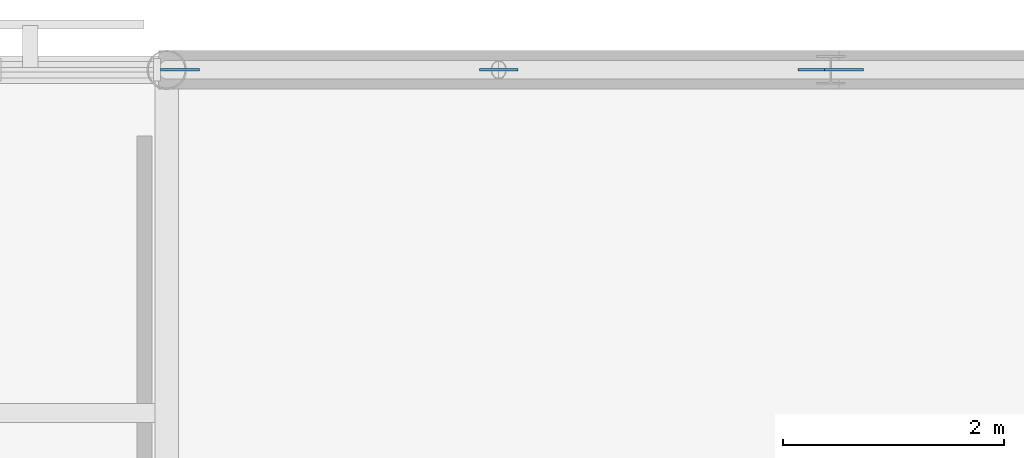
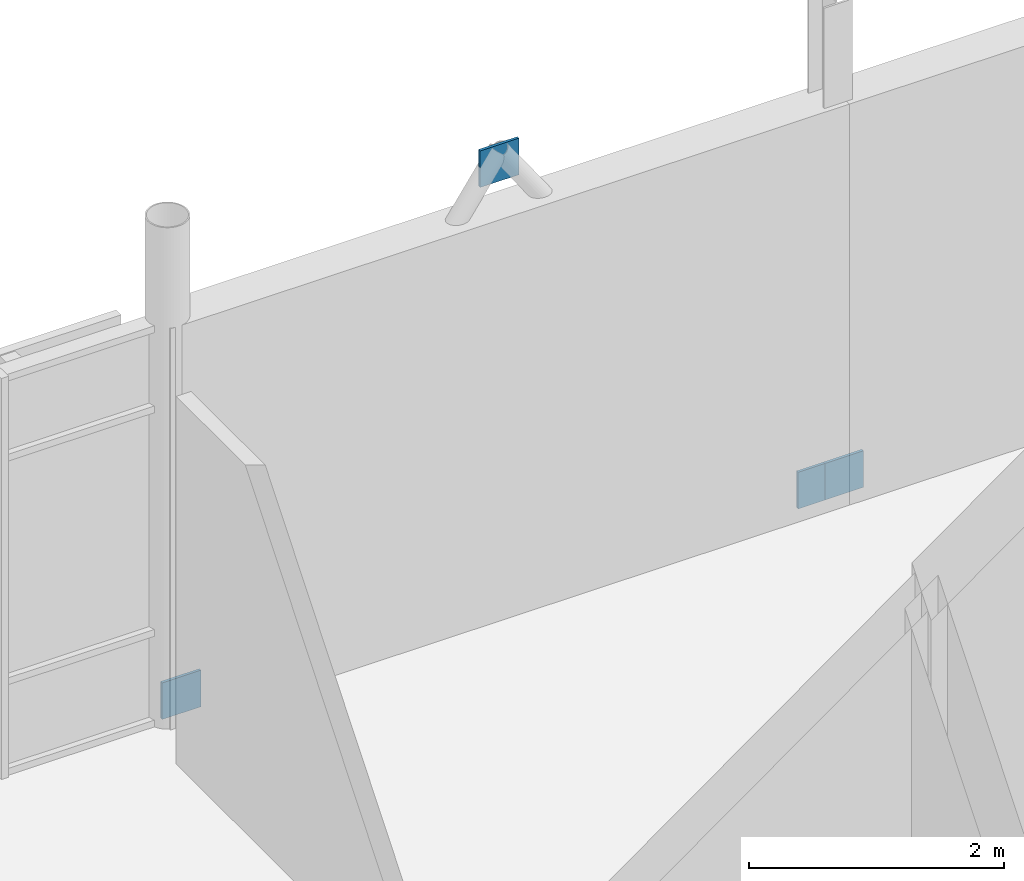
# One storey, part 69 of 84: 4 discrete accessories.
"""IFC4 building model written with IfcOpenShell, lengths in metres."""

from ifc_helpers import new_model, si_unit, direction, frame, origin, origin_2d, place, context, subcontext, project, spatial, rectangle, extrude, material, type_object, element, save


model = new_model("IFC4")

# Units and contexts
model_context = context("Model", 3, precision=1e-05, world=origin(), true_north=direction((0.0, 1.0)))
body_context = subcontext(model_context, "Body", "Model", "MODEL_VIEW")
ifc_project = project(units=[si_unit("LENGTHUNIT", "METRE"), si_unit("AREAUNIT", "SQUARE_METRE"), si_unit("VOLUMEUNIT", "CUBIC_METRE"), si_unit("PLANEANGLEUNIT", "RADIAN"), si_unit("MASSUNIT", "GRAM", prefix="KILO")], contexts=[model_context])

# Site, building, storey
site_placement = place(None, origin())
site = spatial("IfcSite", under=ifc_project, at=site_placement, CompositionType="ELEMENT")
building_placement = place(site_placement, origin())
building = spatial("IfcBuilding", under=site, at=building_placement, Name="Mirzam Square Science Centre", CompositionType="ELEMENT")
storey_placement = place(building_placement, frame((0.0, 0.0, 10.800048828125)))
storey = spatial("IfcBuildingStorey", under=building, at=storey_placement, Name="L02", CompositionType="ELEMENT", Elevation=10.800048828125)

# Discrete accessories
ifc_material = material(Name="Steel S355", Category="steel")
discrete_accessory_type = type_object("IfcDiscreteAccessoryType", Name="BK-BRACE-GUSSET", PredefinedType="BRACKET", material=ifc_material)
for number, where, z_axis, x_axis, name in (
    (1, (120.1201171875, 111.60009765625, -0.005126953125), (0.0, 0.0, 1.0), (1.0, 0.0, 0.0), "L02 brace gusset plate 8A"),
    (2, (125.8798828125, 111.60009765625, -0.005126953125), (0.0, 0.0, 1.0), (1.0, 0.0, 0.0), "L02 brace gusset plate 8B"),
    (3, (123.0, 111.60009765625, 4.079833984375), (0.0, 0.0, 1.0), (1.0, 0.0, 0.0), "L02 brace apex gusset plate 8"),
    (4, (126.1201171875, 111.60009765625, -0.005126953125), (0.0, 0.0, 1.0), (1.0, 0.0, 0.0), "L02 brace gusset plate 9A"),
):
    element("IfcDiscreteAccessory", number, at=place(storey_placement, frame(where, z_axis=z_axis, x_axis=x_axis)), inside=storey, type_object=discrete_accessory_type, Name=name, PredefinedType="BRACKET", context=body_context, shape_type="SweptSolid", body=[
        extrude(rectangle(XDim=0.35009765625, YDim=0.02490234375, at=origin_2d()), origin(), (0.0, 0.0, 1.0), 0.35009765625),
    ])

save(model, "model.ifc")
